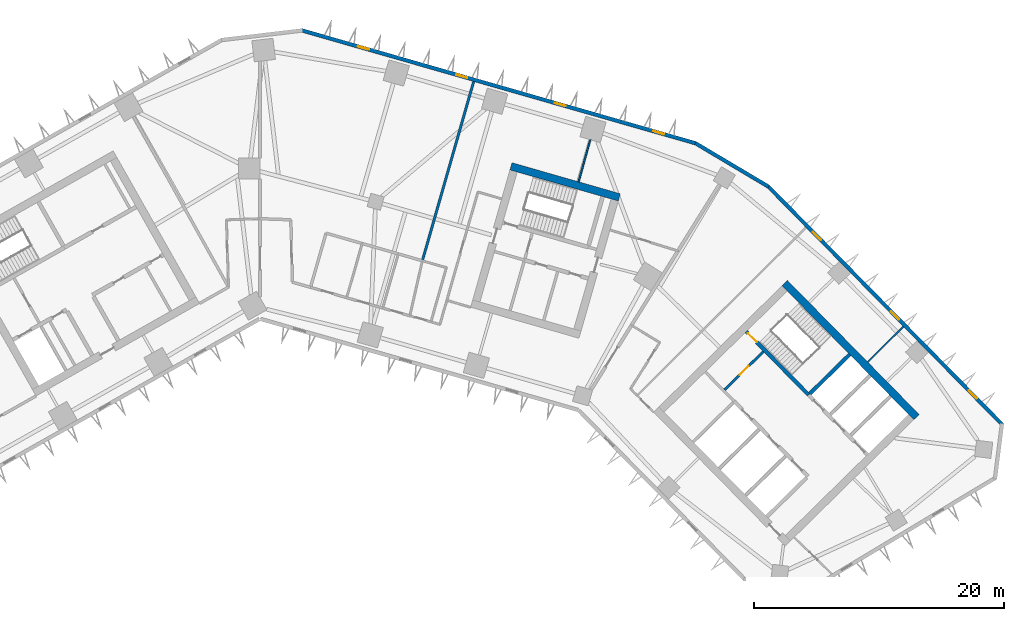
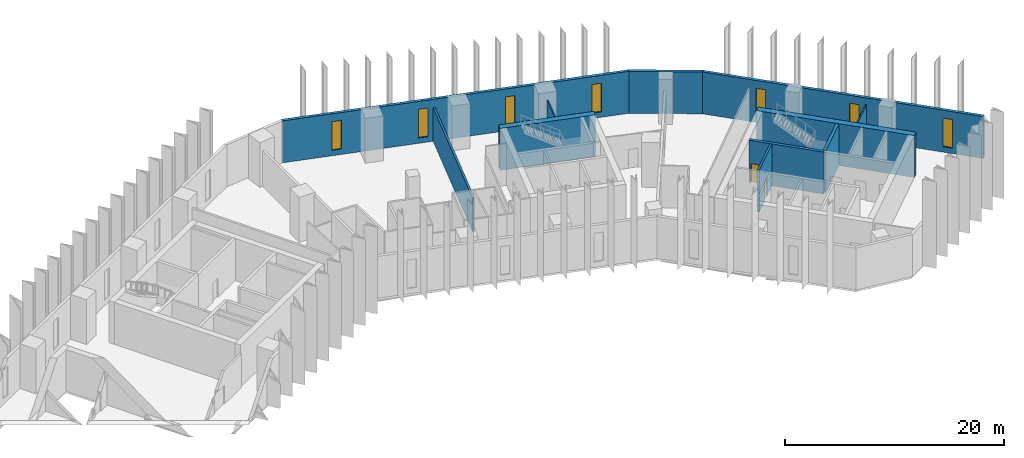
# One storey, part 7 of 11: 11 walls, 7 windows, 2 doors, 9 openings.
"""IFC4 building model written with IfcOpenShell, lengths in metres."""

from ifc_helpers import new_model, si_unit, direction, frame, frame_2d, origin, place, context, subcontext, project, spatial, rectangle, extrude, material, layer, layer_set, type_object, element, fill, save


model = new_model("IFC4")

# Units and contexts
model_context = context("Model", 3, precision=1e-05, world=origin(), true_north=direction((0.0, 1.0)))
body_context = subcontext(model_context, "Body", "Model", "MODEL_VIEW")
ifc_project = project(units=[si_unit("LENGTHUNIT", "METRE"), si_unit("AREAUNIT", "SQUARE_METRE"), si_unit("VOLUMEUNIT", "CUBIC_METRE"), si_unit("PLANEANGLEUNIT", "RADIAN"), si_unit("MASSUNIT", "GRAM", prefix="KILO")], contexts=[model_context])

# Site, building, storey
site_placement = place(None, origin())
site = spatial("IfcSite", under=ifc_project, at=site_placement, CompositionType="ELEMENT")
building_placement = place(site_placement, origin())
building = spatial("IfcBuilding", under=site, at=building_placement, Name="Binnacle Exchange Tower", CompositionType="ELEMENT")
storey_placement = place(building_placement, frame((0.0, 0.0, 66.5)))
storey = spatial("IfcBuildingStorey", under=building, at=storey_placement, Name="L13", CompositionType="ELEMENT", Elevation=66.5)

# Walls
ifc_material_1 = material(Name="Concrete C70/85", Category="concrete")
ifc_layer_1 = layer(ifc_material_1, 0.60009765625)
ifc_layer_set_1 = layer_set([ifc_layer_1], Name="Core wall - outer 600")
wall_type_1 = type_object("IfcWallType", Name="Core wall - outer 600", PredefinedType="SOLIDWALL", material=ifc_layer_set_1)
wall_1_placement = place(storey_placement, frame((41.91650390625, 50.855712890625, 0.0), z_axis=(0.0, 0.0, 1.0), x_axis=(0.700911255944, -0.713248491965, 0.0)))
element("IfcWall", 1, at=wall_1_placement, inside=storey, type_object=wall_type_1, Name="Core wall CRWB6", PredefinedType="SOLIDWALL", context=body_context, shape_type="SweptSolid", body=[
    extrude(rectangle(XDim=15.0, YDim=0.60009765625, at=frame_2d((7.5, 0.0))), origin(), (0.0, 0.0, 1.0), 4.679931640625),
])
wall_2_placement = place(storey_placement, frame((20.052734375, 60.1796875, 0.0), z_axis=(0.0, 0.0, 1.0), x_axis=(0.96126248289, -0.275634611374, 0.0)))
element("IfcWall", 2, at=wall_2_placement, inside=storey, type_object=wall_type_1, Name="Core wall CRWD6", PredefinedType="SOLIDWALL", context=body_context, shape_type="SweptSolid", body=[
    extrude(rectangle(XDim=9.0, YDim=0.60009765625, at=frame_2d((4.5, 0.0))), origin(), (0.0, 0.0, 1.0), 4.679931640625),
])

# Wall, opening, door
ifc_layer_2 = layer(ifc_material_1, 0.300048828125)
ifc_layer_set_2 = layer_set([ifc_layer_2], Name="Core wall - stair 300")
wall_type_2 = type_object("IfcWallType", Name="Core wall - stair 300", PredefinedType="SOLIDWALL", material=ifc_layer_set_2)
wall_3_placement = place(storey_placement, frame((38.842041015625, 46.993408203125, 0.0), z_axis=(0.0, 0.0, 1.0), x_axis=(0.700907701701, -0.713251984713, 0.0)))
wall_3 = element("IfcWall", 3, at=wall_3_placement, inside=storey, type_object=wall_type_2, Name="Core wall CRWB4", PredefinedType="SOLIDWALL", context=body_context, shape_type="SweptSolid", body=[
    extrude(rectangle(XDim=7.10009765625, YDim=0.300048828125, at=frame_2d((3.550048828125, 0.0))), origin(), (0.0, 0.0, 1.0), 4.679931640625),
])
opening_1_placement = place(wall_3_placement, frame((0.199951171875, 0.0, 0.0)))
opening_1 = element("IfcOpeningElement", 4, at=opening_1_placement, cuts=wall_3, Name="Opening DB1", PredefinedType="OPENING", context=body_context, shape_type="SweptSolid", body=[
    extrude(rectangle(XDim=1.0, YDim=2.10009765625, at=frame_2d((0.5, 1.050048828125))), frame((0.0, 0.159912109375, 0.0), z_axis=(0.0, -1.0, 0.0), x_axis=(1.0, 0.0, 0.0)), (0.0, 0.0, 1.0), 0.320068359375),
])
ifc_material_2 = material(Name="Steel door leaf", Category="steel")
door_type = type_object("IfcDoorType", Name="Fire door 1000", OperationType="NOTDEFINED", PredefinedType="DOOR", material=ifc_material_2)
door_1_placement = place(opening_1_placement, origin())
door_1 = element("IfcDoor", 5, at=door_1_placement, inside=storey, type_object=door_type, Name="Stair door ST-B1", OperationType="SINGLE_SWING_LEFT", OverallHeight=2.10009765625, OverallWidth=1.0, PredefinedType="DOOR", context=body_context, shape_type="SweptSolid", body=[
    extrude(rectangle(XDim=1.0, YDim=2.10009765625, at=frame_2d((0.5, 1.050048828125))), frame((0.0, 0.02490234375, 0.0), z_axis=(0.0, -1.0, 0.0), x_axis=(1.0, 0.0, 0.0)), (0.0, 0.0, 1.0), 0.050048828125),
])
fill(opening_1, door_1)

# Walls
wall_4_placement = place(storey_placement, frame((43.925537109375, 42.034423828125, 0.0), z_axis=(0.0, 0.0, 1.0), x_axis=(0.713251741427, 0.700907949271, 0.0)))
element("IfcWall", 6, at=wall_4_placement, inside=storey, type_object=wall_type_2, Name="Core wall CRWB11", PredefinedType="SOLIDWALL", context=body_context, shape_type="SweptSolid", body=[
    extrude(rectangle(XDim=4.4501953125, YDim=0.300048828125, at=frame_2d((2.22509765625, 0.0))), origin(), (0.0, 0.0, 1.0), 4.679931640625),
])
ifc_material_3 = material(Name="Bronze aluminium cladding", Category="aluminium")
ifc_layer_3 = layer(ifc_material_3, 0.300048828125)
ifc_layer_set_3 = layer_set([ifc_layer_3], Name="External wall - spandrel 300")
wall_type_3 = type_object("IfcWallType", Name="External wall - spandrel 300", PredefinedType="STANDARD", material=ifc_layer_set_3)
wall_5_placement = place(storey_placement, frame((34.773193359375, 62.0341796875, 0.0), z_axis=(0.0, 0.0, 1.0), x_axis=(0.859401317772, -0.511301647769, 0.0)))
element("IfcWall", 7, at=wall_5_placement, inside=storey, type_object=wall_type_3, Name="External wall EW-F00 L13", PredefinedType="STANDARD", context=body_context, shape_type="SweptSolid", body=[
    extrude(rectangle(XDim=6.80810546875, YDim=0.300048828125, at=frame_2d((3.404052734375, 0.0))), origin(), (0.0, 0.0, 1.0), 4.679931640625),
])

# Wall, openings, windows
wall_6_placement = place(storey_placement, frame((3.33544921875, 71.043701171875, 0.0), z_axis=(0.0, 0.0, 1.0), x_axis=(0.961260130989, -0.275642813387, 0.0)))
wall_6 = element("IfcWall", 8, at=wall_6_placement, inside=storey, type_object=wall_type_3, Name="External wall EW-F01 L13", PredefinedType="STANDARD", context=body_context, shape_type="SweptSolid", body=[
    extrude(rectangle(XDim=32.7412109375, YDim=0.300048828125, at=frame_2d((16.37060546875, 0.0))), origin(), (0.0, 0.0, 1.0), 4.679931640625),
])
opening_2_placement = place(wall_6_placement, frame((29.20703125, 0.0, 0.60009765625)))
opening_2 = element("IfcOpeningElement", 9, at=opening_2_placement, cuts=wall_6, Name="Opening WS1", PredefinedType="OPENING", context=body_context, shape_type="SweptSolid", body=[
    extrude(rectangle(XDim=0.89990234375, YDim=3.199951171875, at=frame_2d((0.449951171875, 1.60009765625))), frame((0.0, 0.159912109375, 0.0), z_axis=(0.0, -1.0, 0.0), x_axis=(1.0, 0.0, 0.0)), (0.0, 0.0, 1.0), 0.320068359375),
])
opening_3_placement = place(wall_6_placement, frame((21.0341796875, 0.0, 0.60009765625)))
opening_3 = element("IfcOpeningElement", 10, at=opening_3_placement, cuts=wall_6, Name="Opening WS1", PredefinedType="OPENING", context=body_context, shape_type="SweptSolid", body=[
    extrude(rectangle(XDim=0.89990234375, YDim=3.199951171875, at=frame_2d((0.449951171875, 1.60009765625))), frame((0.0, 0.159912109375, 0.0), z_axis=(0.0, -1.0, 0.0), x_axis=(1.0, 0.0, 0.0)), (0.0, 0.0, 1.0), 0.320068359375),
])
opening_4_placement = place(wall_6_placement, frame((12.861083984375, 0.0, 0.60009765625)))
opening_4 = element("IfcOpeningElement", 11, at=opening_4_placement, cuts=wall_6, Name="Opening WS1", PredefinedType="OPENING", context=body_context, shape_type="SweptSolid", body=[
    extrude(rectangle(XDim=0.89990234375, YDim=3.199951171875, at=frame_2d((0.449951171875, 1.60009765625))), frame((0.0, 0.159912109375, 0.0), z_axis=(0.0, -1.0, 0.0), x_axis=(1.0, 0.0, 0.0)), (0.0, 0.0, 1.0), 0.320068359375),
])
opening_5_placement = place(wall_6_placement, frame((4.688232421875, 0.0, 0.60009765625)))
opening_5 = element("IfcOpeningElement", 12, at=opening_5_placement, cuts=wall_6, Name="Opening WS1", PredefinedType="OPENING", context=body_context, shape_type="SweptSolid", body=[
    extrude(rectangle(XDim=0.89990234375, YDim=3.199951171875, at=frame_2d((0.449951171875, 1.60009765625))), frame((0.0, 0.159912109375, 0.0), z_axis=(0.0, -1.0, 0.0), x_axis=(1.0, 0.0, 0.0)), (0.0, 0.0, 1.0), 0.320068359375),
])
ifc_material_4 = material(Name="Bronze anodised aluminium frame", Category="aluminium")
window_type = type_object("IfcWindowType", Name="WS1 WINDOW 900x3200", PartitioningType="SINGLE_PANEL", PredefinedType="WINDOW", material=ifc_material_4)
window_1_placement = place(opening_2_placement, origin())
window_1 = element("IfcWindow", 13, at=window_1_placement, inside=storey, type_object=window_type, Name="Window WS1 L13", OverallHeight=3.199951171875, OverallWidth=0.89990234375, PartitioningType="SINGLE_PANEL", PredefinedType="WINDOW", context=body_context, shape_type="SweptSolid", body=[
    extrude(rectangle(XDim=0.89990234375, YDim=3.199951171875, at=frame_2d((0.449951171875, 1.60009765625))), frame((0.0, 0.030029296875, 0.0), z_axis=(0.0, -1.0, 0.0), x_axis=(1.0, 0.0, 0.0)), (0.0, 0.0, 1.0), 0.06005859375),
])
fill(opening_2, window_1)
window_2_placement = place(opening_3_placement, origin())
window_2 = element("IfcWindow", 14, at=window_2_placement, inside=storey, type_object=window_type, Name="Window WS1 L13", OverallHeight=3.199951171875, OverallWidth=0.89990234375, PartitioningType="SINGLE_PANEL", PredefinedType="WINDOW", context=body_context, shape_type="SweptSolid", body=[
    extrude(rectangle(XDim=0.89990234375, YDim=3.199951171875, at=frame_2d((0.449951171875, 1.60009765625))), frame((0.0, 0.030029296875, 0.0), z_axis=(0.0, -1.0, 0.0), x_axis=(1.0, 0.0, 0.0)), (0.0, 0.0, 1.0), 0.06005859375),
])
fill(opening_3, window_2)
window_3_placement = place(opening_4_placement, origin())
window_3 = element("IfcWindow", 15, at=window_3_placement, inside=storey, type_object=window_type, Name="Window WS1 L13", OverallHeight=3.199951171875, OverallWidth=0.89990234375, PartitioningType="SINGLE_PANEL", PredefinedType="WINDOW", context=body_context, shape_type="SweptSolid", body=[
    extrude(rectangle(XDim=0.89990234375, YDim=3.199951171875, at=frame_2d((0.449951171875, 1.60009765625))), frame((0.0, 0.030029296875, 0.0), z_axis=(0.0, -1.0, 0.0), x_axis=(1.0, 0.0, 0.0)), (0.0, 0.0, 1.0), 0.06005859375),
])
fill(opening_4, window_3)
window_4_placement = place(opening_5_placement, origin())
window_4 = element("IfcWindow", 16, at=window_4_placement, inside=storey, type_object=window_type, Name="Window WS1 L13", OverallHeight=3.199951171875, OverallWidth=0.89990234375, PartitioningType="SINGLE_PANEL", PredefinedType="WINDOW", context=body_context, shape_type="SweptSolid", body=[
    extrude(rectangle(XDim=0.89990234375, YDim=3.199951171875, at=frame_2d((0.449951171875, 1.60009765625))), frame((0.0, 0.030029296875, 0.0), z_axis=(0.0, -1.0, 0.0), x_axis=(1.0, 0.0, 0.0)), (0.0, 0.0, 1.0), 0.06005859375),
])
fill(opening_5, window_4)

wall_7_placement = place(storey_placement, frame((40.59375, 58.576904296875, 0.0), z_axis=(0.0, 0.0, 1.0), x_axis=(0.700909719808, -0.713250001528, 0.0)))
wall_7 = element("IfcWall", 17, at=wall_7_placement, inside=storey, type_object=wall_type_3, Name="External wall EW-F13 L13", PredefinedType="STANDARD", context=body_context, shape_type="SweptSolid", body=[
    extrude(rectangle(XDim=26.70849609375, YDim=0.300048828125, at=frame_2d((13.354248046875, 0.0))), origin(), (0.0, 0.0, 1.0), 4.679931640625),
])
opening_6_placement = place(wall_7_placement, frame((22.8583984375, 0.0, 0.60009765625)))
opening_6 = element("IfcOpeningElement", 18, at=opening_6_placement, cuts=wall_7, Name="Opening WS1", PredefinedType="OPENING", context=body_context, shape_type="SweptSolid", body=[
    extrude(rectangle(XDim=0.89990234375, YDim=3.199951171875, at=frame_2d((0.449951171875, 1.60009765625))), frame((0.0, 0.159912109375, 0.0), z_axis=(0.0, -1.0, 0.0), x_axis=(1.0, 0.0, 0.0)), (0.0, 0.0, 1.0), 0.320068359375),
])
opening_7_placement = place(wall_7_placement, frame((13.986572265625, 0.0, 0.60009765625)))
opening_7 = element("IfcOpeningElement", 19, at=opening_7_placement, cuts=wall_7, Name="Opening WS1", PredefinedType="OPENING", context=body_context, shape_type="SweptSolid", body=[
    extrude(rectangle(XDim=0.89990234375, YDim=3.199951171875, at=frame_2d((0.449951171875, 1.60009765625))), frame((0.0, 0.159912109375, 0.0), z_axis=(0.0, -1.0, 0.0), x_axis=(1.0, 0.0, 0.0)), (0.0, 0.0, 1.0), 0.320068359375),
])
opening_8_placement = place(wall_7_placement, frame((5.114501953125, 0.0, 0.60009765625)))
opening_8 = element("IfcOpeningElement", 20, at=opening_8_placement, cuts=wall_7, Name="Opening WS1", PredefinedType="OPENING", context=body_context, shape_type="SweptSolid", body=[
    extrude(rectangle(XDim=0.89990234375, YDim=3.199951171875, at=frame_2d((0.449951171875, 1.60009765625))), frame((0.0, 0.159912109375, 0.0), z_axis=(0.0, -1.0, 0.0), x_axis=(1.0, 0.0, 0.0)), (0.0, 0.0, 1.0), 0.320068359375),
])
window_5_placement = place(opening_6_placement, origin())
window_5 = element("IfcWindow", 21, at=window_5_placement, inside=storey, type_object=window_type, Name="Window WS1 L13", OverallHeight=3.199951171875, OverallWidth=0.89990234375, PartitioningType="SINGLE_PANEL", PredefinedType="WINDOW", context=body_context, shape_type="SweptSolid", body=[
    extrude(rectangle(XDim=0.89990234375, YDim=3.199951171875, at=frame_2d((0.449951171875, 1.60009765625))), frame((0.0, 0.030029296875, 0.0), z_axis=(0.0, -1.0, 0.0), x_axis=(1.0, 0.0, 0.0)), (0.0, 0.0, 1.0), 0.06005859375),
])
fill(opening_6, window_5)
window_6_placement = place(opening_7_placement, origin())
window_6 = element("IfcWindow", 22, at=window_6_placement, inside=storey, type_object=window_type, Name="Window WS1 L13", OverallHeight=3.199951171875, OverallWidth=0.89990234375, PartitioningType="SINGLE_PANEL", PredefinedType="WINDOW", context=body_context, shape_type="SweptSolid", body=[
    extrude(rectangle(XDim=0.89990234375, YDim=3.199951171875, at=frame_2d((0.449951171875, 1.60009765625))), frame((0.0, 0.030029296875, 0.0), z_axis=(0.0, -1.0, 0.0), x_axis=(1.0, 0.0, 0.0)), (0.0, 0.0, 1.0), 0.06005859375),
])
fill(opening_7, window_6)
window_7_placement = place(opening_8_placement, origin())
window_7 = element("IfcWindow", 23, at=window_7_placement, inside=storey, type_object=window_type, Name="Window WS1 L13", OverallHeight=3.199951171875, OverallWidth=0.89990234375, PartitioningType="SINGLE_PANEL", PredefinedType="WINDOW", context=body_context, shape_type="SweptSolid", body=[
    extrude(rectangle(XDim=0.89990234375, YDim=3.199951171875, at=frame_2d((0.449951171875, 1.60009765625))), frame((0.0, 0.030029296875, 0.0), z_axis=(0.0, -1.0, 0.0), x_axis=(1.0, 0.0, 0.0)), (0.0, 0.0, 1.0), 0.06005859375),
])
fill(opening_8, window_7)

# Wall
ifc_material_5 = material(Name="Masonry block wall", Category="masonry")
ifc_layer_4 = layer(ifc_material_5, 0.199951171875)
ifc_layer_set_4 = layer_set([ifc_layer_4], Name="Fire wall - block 200")
wall_type_4 = type_object("IfcWallType", Name="Fire wall - block 200", PredefinedType="PARTITIONING", material=ifc_layer_set_4)
wall_8_placement = place(storey_placement, frame((12.97412109375, 52.638916015625, 0.0), z_axis=(0.0, 0.0, 1.0), x_axis=(0.275299463768, 0.961358520662, 0.0)))
element("IfcWall", 24, at=wall_8_placement, inside=storey, type_object=wall_type_4, Name="Partition W27", PredefinedType="PARTITIONING", context=body_context, shape_type="SweptSolid", body=[
    extrude(rectangle(XDim=14.88525390625, YDim=0.199951171875, at=frame_2d((7.442626953125, 0.0))), origin(), (0.0, 0.0, 1.0), 3.741943359375),
])

# Wall, opening, door
ifc_layer_5 = layer(ifc_material_5, 0.199951171875)
ifc_layer_set_5 = layer_set([ifc_layer_5], Name="Fire wall - vestibule 200")
wall_type_5 = type_object("IfcWallType", Name="Fire wall - vestibule 200", PredefinedType="PARTITIONING", material=ifc_layer_set_5)
wall_9_placement = place(storey_placement, frame((37.104248046875, 42.341552734375, 0.0), z_axis=(0.0, 0.0, 1.0), x_axis=(0.713281298468, 0.700877870428, 0.0)))
wall_9 = element("IfcWall", 25, at=wall_9_placement, inside=storey, type_object=wall_type_5, Name="Core wall CRWB8", PredefinedType="PARTITIONING", context=body_context, shape_type="SweptSolid", body=[
    extrude(rectangle(XDim=4.35009765625, YDim=0.199951171875, at=frame_2d((2.175048828125, 0.0))), origin(), (0.0, 0.0, 1.0), 4.679931640625),
])
opening_9_placement = place(wall_9_placement, frame((1.699951171875, 0.0, 0.0)))
opening_9 = element("IfcOpeningElement", 26, at=opening_9_placement, cuts=wall_9, Name="Opening DB3", PredefinedType="OPENING", context=body_context, shape_type="SweptSolid", body=[
    extrude(rectangle(XDim=1.0, YDim=2.10009765625, at=frame_2d((0.5, 1.050048828125))), frame((0.0, 0.10986328125, 0.0), z_axis=(0.0, -1.0, 0.0), x_axis=(1.0, 0.0, 0.0)), (0.0, 0.0, 1.0), 0.219970703125),
])
door_2_placement = place(opening_9_placement, origin())
door_2 = element("IfcDoor", 27, at=door_2_placement, inside=storey, type_object=door_type, Name="Vestibule door VEST-W", OperationType="SINGLE_SWING_RIGHT", OverallHeight=2.10009765625, OverallWidth=1.0, PredefinedType="DOOR", context=body_context, shape_type="SweptSolid", body=[
    extrude(rectangle(XDim=1.0, YDim=2.10009765625, at=frame_2d((0.5, 1.050048828125))), frame((0.0, 0.02490234375, 0.0), z_axis=(0.0, -1.0, 0.0), x_axis=(1.0, 0.0, 0.0)), (0.0, 0.0, 1.0), 0.050048828125),
])
fill(opening_9, door_2)

# Walls
ifc_material_6 = material(Name="Gypsum partition")
ifc_layer_6 = layer(ifc_material_6, 0.125)
ifc_layer_set_6 = layer_set([ifc_layer_6], Name="Partition 125")
wall_type_6 = type_object("IfcWallType", Name="Partition 125", PredefinedType="PARTITIONING", material=ifc_layer_set_6)
wall_10_placement = place(storey_placement, frame((25.445068359375, 58.946044921875, 0.0), z_axis=(0.0, 0.0, 1.0), x_axis=(0.268850353538, 0.963181959654, 0.0)))
element("IfcWall", 28, at=wall_10_placement, inside=storey, type_object=wall_type_6, Name="Partition W34", PredefinedType="PARTITIONING", context=body_context, shape_type="SweptSolid", body=[
    extrude(rectangle(XDim=3.4853515625, YDim=0.125, at=frame_2d((1.74267578125, 0.0))), origin(), (0.0, 0.0, 1.0), 4.154052734375),
])
wall_11_placement = place(storey_placement, frame((48.533935546875, 44.549072265625, 0.0), z_axis=(0.0, 0.0, 1.0), x_axis=(0.709108443911, 0.70509943609, 0.0)))
element("IfcWall", 29, at=wall_11_placement, inside=storey, type_object=wall_type_6, Name="Partition W45", PredefinedType="PARTITIONING", context=body_context, shape_type="SweptSolid", body=[
    extrude(rectangle(XDim=4.019287109375, YDim=0.125, at=frame_2d((2.009765625, 0.0))), origin(), (0.0, 0.0, 1.0), 3.9599609375),
])

save(model, "model.ifc")
